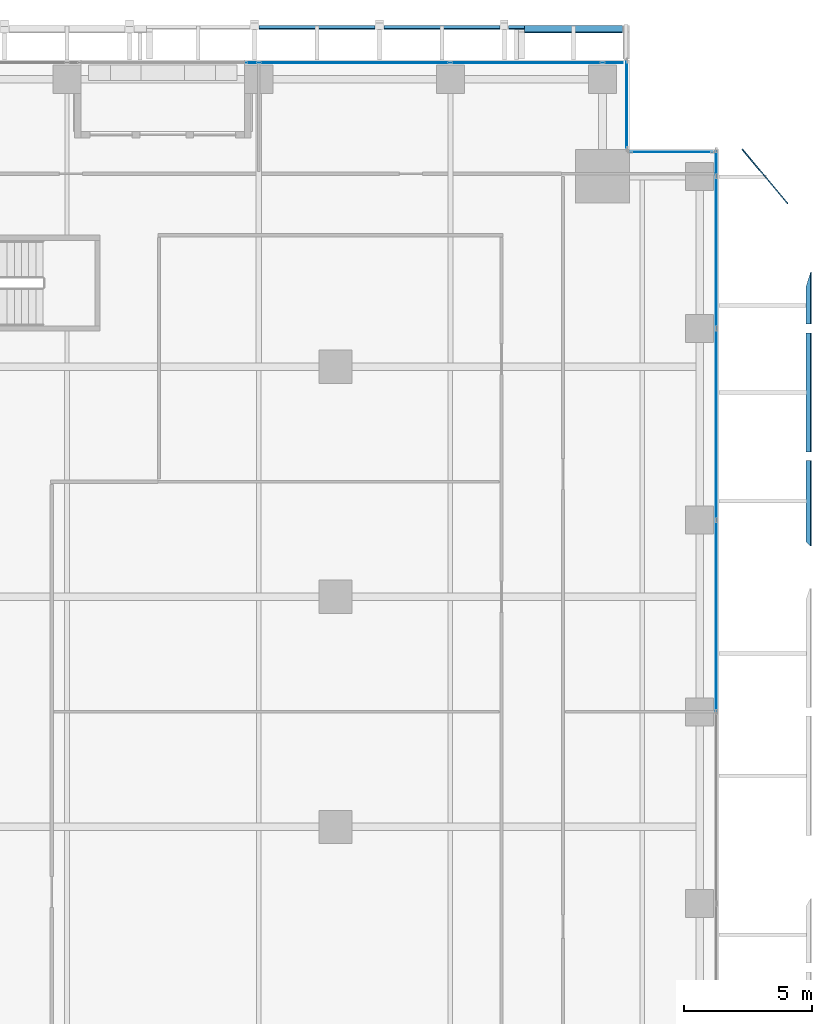
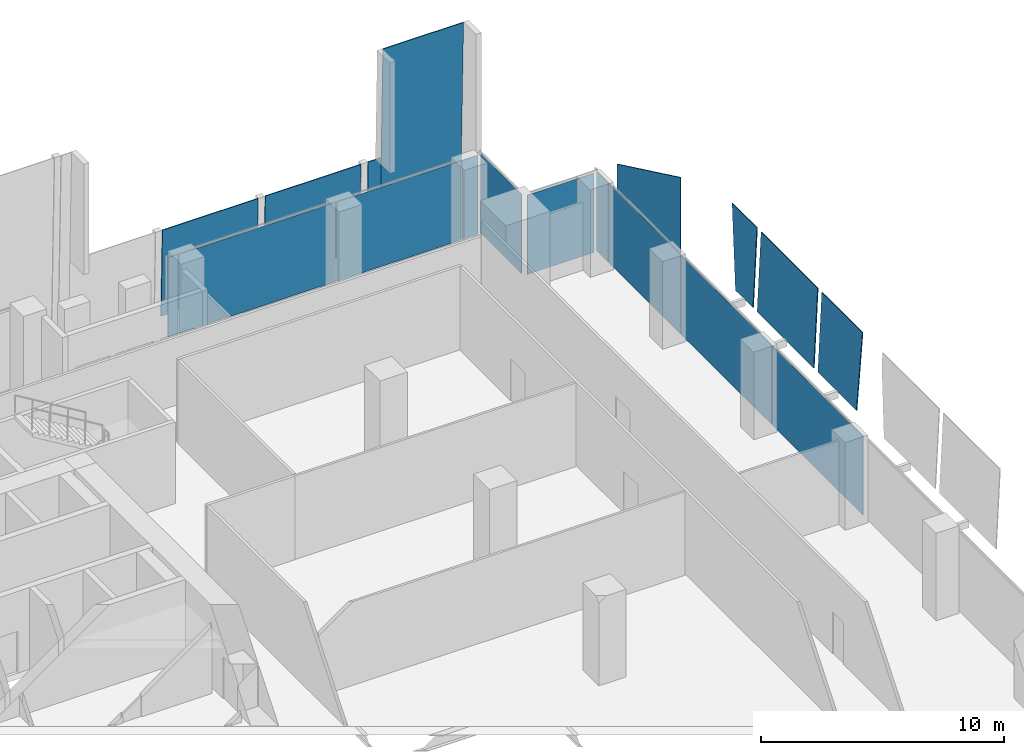
# One storey, part 27 of 34: 18 plates, 4 elements without a shape of their own.
"""IFC4 building model written with IfcOpenShell, lengths in metres."""

import ifcopenshell
import ifcopenshell.guid

model = None  # the IFC model being written
_history = None  # IfcOwnerHistory: only IFC2X3 demands one
_inside = {}  # id of a spatial element -> (the spatial element, [elements in it])
_under = {}  # id of a project, library or spatial element -> (it, [spatial elements below it])
_declared = {}  # id of a project -> (the project, [libraries it declares])
_typed = {}  # id of a type object -> (the type object, [elements of that type])
_made_of = {}  # id of a material, layer set ... -> (it, [elements and type objects made of it])


def new_model(schema):
    """Start an empty IFC model of exactly this schema.

    Asked for "IFC4X3", IfcOpenShell would pick the latest addendum, in which some entities
    have other attributes; the version numbers below select the first issue.
    IFC2X3 requires an IfcOwnerHistory on every rooted entity: one is made here for all.
    """
    global model, _history
    if schema == "IFC4X3":
        model = ifcopenshell.file(schema_version=(4, 3, 0, 0))
    else:
        model = ifcopenshell.file(schema=schema)
    _inside.clear()
    _under.clear()
    _declared.clear()
    _typed.clear()
    _made_of.clear()
    _history = None
    if model.schema == "IFC2X3":
        org = make("IfcOrganization", Name="unknown")
        user = make(
            "IfcPersonAndOrganization",
            ThePerson=make("IfcPerson", FamilyName="unknown"),
            TheOrganization=org,
        )
        app = make(
            "IfcApplication",
            ApplicationDeveloper=org,
            Version="unknown",
            ApplicationFullName="unknown",
            ApplicationIdentifier="unknown",
        )
        _history = make(
            "IfcOwnerHistory",
            OwningUser=user,
            OwningApplication=app,
            ChangeAction="ADDED",
            CreationDate=0,
        )
    return model


def make(cls, **values):
    """One entity of the class cls with the attributes given. An attribute that is None is left unset."""
    return model.create_entity(
        cls, **{name: value for name, value in values.items() if value is not None}
    )


def rooted(cls, **values):
    """An entity with a GlobalId (a new one), such as an element, a storey or a relation."""
    return make(cls, GlobalId=ifcopenshell.guid.new(), OwnerHistory=_history, **values)


def si_unit(unit_type, name, prefix=None):
    """IfcSIUnit, for example si_unit("LENGTHUNIT", "METRE", prefix="MILLI")."""
    return make("IfcSIUnit", UnitType=unit_type, Prefix=prefix, Name=name)


def assignment(units):
    """IfcUnitAssignment: the units of a project."""
    return None if units is None else make("IfcUnitAssignment", Units=units)


def point(xyz):
    """IfcCartesianPoint."""
    return None if xyz is None else make("IfcCartesianPoint", Coordinates=xyz)


def direction(xyz):
    """IfcDirection."""
    return None if xyz is None else make("IfcDirection", DirectionRatios=xyz)


def frame(location, z_axis=None, x_axis=None):
    """IfcAxis2Placement3D, a coordinate frame: its origin and axes. An axis left out is left unset."""
    return make(
        "IfcAxis2Placement3D",
        Location=point(location),
        Axis=direction(z_axis),
        RefDirection=direction(x_axis),
    )


def frame_2d(location, x_axis=None):
    """IfcAxis2Placement2D, a coordinate frame in the plane: its origin and x axis."""
    return make(
        "IfcAxis2Placement2D", Location=point(location), RefDirection=direction(x_axis)
    )


def origin():
    """The frame at (0, 0, 0) with its axes left unset."""
    return frame((0.0, 0.0, 0.0))


def origin_2d():
    """The frame at (0, 0) in the plane with its x axis left unset."""
    return frame_2d((0.0, 0.0))


def place(relative_to, where):
    """IfcLocalPlacement: puts the frame where relative to a parent placement (None: the world)."""
    return make(
        "IfcLocalPlacement", PlacementRelTo=relative_to, RelativePlacement=where
    )


def context(
    kind, dimensions, precision=None, world=None, true_north=None, identifier=None
):
    """IfcGeometricRepresentationContext, for example the 3D "Model" context."""
    return make(
        "IfcGeometricRepresentationContext",
        ContextIdentifier=identifier,
        ContextType=kind,
        CoordinateSpaceDimension=dimensions,
        Precision=precision,
        WorldCoordinateSystem=world,
        TrueNorth=true_north,
    )


def subcontext(parent, identifier, kind, view, scale=None):
    """IfcGeometricRepresentationSubContext, for example "Body" below "Model"."""
    return make(
        "IfcGeometricRepresentationSubContext",
        ContextIdentifier=identifier,
        ContextType=kind,
        ParentContext=parent,
        TargetScale=scale,
        TargetView=view,
    )


def project(units=None, contexts=None):
    """IfcProject with its units and contexts."""
    return rooted(
        "IfcProject",
        Name="project",
        RepresentationContexts=contexts,
        UnitsInContext=assignment(units),
    )


def spatial(cls, under=None, at=None, **own):
    """A site, building, storey or space (cls), placed at a placement, below another one or the project."""
    s = rooted(cls, ObjectPlacement=at, **own)
    if under is not None:
        _under.setdefault(under.id(), (under, []))[1].append(s)
    return s


def polyline(points):
    """IfcPolyline through the points."""
    return make("IfcPolyline", Points=[point(p) for p in points])


def profile(cls, at=None, kind="AREA", **sizes):
    """A parametric profile (cls). Its sizes go by their IFC names, for example OverallWidth=200.0."""
    return make(cls, ProfileType=kind, Position=at, **sizes)


def rectangle(**sizes):
    """IfcRectangleProfileDef."""
    return profile("IfcRectangleProfileDef", **sizes)


def outline(outer, holes=None, kind="AREA"):
    """IfcArbitraryClosedProfileDef: a profile drawn as a closed curve; with holes, ...WithVoids."""
    if holes is None:
        return make("IfcArbitraryClosedProfileDef", ProfileType=kind, OuterCurve=outer)
    return make(
        "IfcArbitraryProfileDefWithVoids",
        ProfileType=kind,
        OuterCurve=outer,
        InnerCurves=holes,
    )


def extrude(swept, where, along, depth):
    """IfcExtrudedAreaSolid: the profile swept, set in the frame where, extruded along a direction by depth."""
    return make(
        "IfcExtrudedAreaSolid",
        SweptArea=swept,
        Position=where,
        ExtrudedDirection=direction(along),
        Depth=depth,
    )


def shape(context_of_items, identifier, shape_type, items):
    """IfcShapeRepresentation: the items that make up one representation, for example the "Body"."""
    return make(
        "IfcShapeRepresentation",
        ContextOfItems=context_of_items,
        RepresentationIdentifier=identifier,
        RepresentationType=shape_type,
        Items=items,
    )


def source(mapping_origin, context_of_items, identifier, shape_type, items):
    """IfcRepresentationMap: a shape defined once, which mapped items show again and again."""
    return make(
        "IfcRepresentationMap",
        MappingOrigin=mapping_origin,
        MappedRepresentation=shape(context_of_items, identifier, shape_type, items),
    )


def transform(
    local_origin,
    x_axis=None,
    y_axis=None,
    z_axis=None,
    scale=None,
    scale2=None,
    scale3=None,
    uniform=True,
):
    """IfcCartesianTransformationOperator3D, or its non-uniform kind. x_axis, y_axis, z_axis: its Axis1, 2, 3."""
    if uniform:
        return make(
            "IfcCartesianTransformationOperator3D",
            Axis1=direction(x_axis),
            Axis2=direction(y_axis),
            LocalOrigin=point(local_origin),
            Scale=scale,
            Axis3=direction(z_axis),
        )
    return make(
        "IfcCartesianTransformationOperator3DnonUniform",
        Axis1=direction(x_axis),
        Axis2=direction(y_axis),
        LocalOrigin=point(local_origin),
        Scale=scale,
        Axis3=direction(z_axis),
        Scale2=scale2,
        Scale3=scale3,
    )


def mapped(mapping_source, mapping_target):
    """IfcMappedItem: shows the shape of a source again, moved by a transform."""
    return make(
        "IfcMappedItem", MappingSource=mapping_source, MappingTarget=mapping_target
    )


def material(Name=None, Category=None):
    """IfcMaterial."""
    return make("IfcMaterial", Name=Name, Category=Category)


def layer(
    of_material, thickness, ventilated=None, Name=None, Category=None, Priority=None
):
    """IfcMaterialLayer: one layer of a wall or slab, of a material (None: an air gap)."""
    return make(
        "IfcMaterialLayer",
        Material=of_material,
        LayerThickness=thickness,
        IsVentilated=ventilated,
        Name=Name,
        Category=Category,
        Priority=Priority,
    )


def layer_set(layers, Name=None):
    """IfcMaterialLayerSet."""
    return make("IfcMaterialLayerSet", MaterialLayers=layers, LayerSetName=Name)


def made_of(thing, what):
    """Note that an element or type object is made of a material, layer set ...; save() writes the relation."""
    if what is not None:
        _made_of.setdefault(what.id(), (what, []))[1].append(thing)
    return thing


def type_object(cls, material=None, **own):
    """A type object (cls), such as IfcWallType, which elements share."""
    return made_of(rooted(cls, **own), material)


def element(
    cls,
    number,
    at=None,
    inside=None,
    cuts=None,
    type_object=None,
    material=None,
    context=None,
    identifier="Body",
    shape_type=None,
    held_by="IfcProductDefinitionShape",
    body=None,
    shapes=None,
    **own,
):
    """One element of the class cls, such as IfcWall. Its Tag is "e" and its number.

    at: its placement. inside: the storey or other place that contains it. cuts: it is an
    opening in that element (IfcRelVoidsElement). A single representation is given by context,
    identifier, shape_type and body (its items); several are given by shapes. held_by: the class
    of the entity that holds the representations. save() writes the other relations.
    """
    e = rooted(cls, Tag="e%d" % number, ObjectPlacement=at, **own)
    if body is not None:
        shapes = [shape(context, identifier, shape_type, body)]
    if shapes is not None:
        e.Representation = make(held_by, Representations=shapes)
    if inside is not None:
        _inside.setdefault(inside.id(), (inside, []))[1].append(e)
    if cuts is not None:
        rooted(
            "IfcRelVoidsElement", RelatingBuildingElement=cuts, RelatedOpeningElement=e
        )
    if type_object is not None:
        _typed.setdefault(type_object.id(), (type_object, []))[1].append(e)
    return made_of(e, material)


def aggregate(whole, parts):
    """IfcRelAggregates: a whole, such as a stair, and the parts it consists of."""
    return rooted("IfcRelAggregates", RelatingObject=whole, RelatedObjects=parts)


def save(model, path):
    """Write the relations noted so far, then the file.

    IfcRelAggregates (storeys below a building ...), IfcRelContainedInSpatialStructure (elements
    in a storey), IfcRelDefinesByType, IfcRelAssociatesMaterial and IfcRelDeclares: one each for
    every whole, place, type object, material and project.
    """
    for whole, parts in _under.values():
        aggregate(whole, parts)
    for where, things in _inside.values():
        rooted(
            "IfcRelContainedInSpatialStructure",
            RelatedElements=things,
            RelatingStructure=where,
        )
    for kind, things in _typed.values():
        rooted("IfcRelDefinesByType", RelatedObjects=things, RelatingType=kind)
    for what, things in _made_of.values():
        rooted("IfcRelAssociatesMaterial", RelatedObjects=things, RelatingMaterial=what)
    for by, libraries in _declared.values():
        rooted("IfcRelDeclares", RelatingContext=by, RelatedDefinitions=libraries)
    model.write(path)


model = new_model("IFC4")

# Units and contexts
model_context = context("Model", 3, precision=1e-05, world=origin(), true_north=direction((0.0, 1.0)))
body_context = subcontext(model_context, "Body", "Model", "MODEL_VIEW")
ifc_project = project(units=[si_unit("LENGTHUNIT", "METRE"), si_unit("AREAUNIT", "SQUARE_METRE"), si_unit("VOLUMEUNIT", "CUBIC_METRE"), si_unit("PLANEANGLEUNIT", "RADIAN"), si_unit("MASSUNIT", "GRAM", prefix="KILO")], contexts=[model_context])

# Site, building, storey
site_placement = place(None, origin())
site = spatial("IfcSite", under=ifc_project, at=site_placement, CompositionType="ELEMENT")
building_placement = place(site_placement, origin())
building = spatial("IfcBuilding", under=site, at=building_placement, Name="Khomas Fold Tower", CompositionType="ELEMENT")
storey_placement = place(building_placement, frame((0.0, 0.0, 154.300048828125)))
storey = spatial("IfcBuildingStorey", under=building, at=storey_placement, Name="L33", CompositionType="ELEMENT", Elevation=154.300048828125)

# Plates
ifc_material_1 = material(Name="Clear laminated glass", Category="glass")
ifc_layer_1 = layer(ifc_material_1, 0.0400390625)
ifc_layer_set_1 = layer_set([ifc_layer_1], Name="Clear laminated glass")
plate_type_1 = type_object("IfcPlateType", Name="SK-Clear laminated glass leaf", PredefinedType="SHEET", material=ifc_layer_set_1)
plate_1_placement = place(storey_placement, frame((55.90625, 33.655029296875, 0.0), z_axis=(-0.998875250252, 0.0, 0.04741555054), x_axis=(0.047370826557, -0.043423257678, 0.997933076656)))
element("IfcPlate", 1, at=plate_1_placement, inside=storey, type_object=plate_type_1, Name="OUTER SKIN glass L33 EG104-8", PredefinedType="SHEET", context=body_context, shape_type="SweptSolid", body=[
    extrude(outline(polyline([(0.0, 0.0), (3.9581323279826925, 0.0), (3.8127979921667476, 3.343766894103691), (-0.13787096340260876, 3.172054012533263), (0.0, 0.0)])), origin(), (0.0, 0.0, -1.0), 0.0400390625),
])
plate_2_placement = place(storey_placement, frame((55.90625, 37.169921875, 0.0), z_axis=(-0.998875250252, 0.0, 0.04741555054), x_axis=(0.04741555054, 0.0, 0.998875250252)))
element("IfcPlate", 2, at=plate_2_placement, inside=storey, type_object=plate_type_1, Name="OUTER SKIN glass L33 EG105-9", PredefinedType="SHEET", context=body_context, shape_type="SweptSolid", body=[
    extrude(outline(polyline([(0.0, 0.0), (3.9543988810180344, 0.0), (3.9543988810180344, 4.66015625), (0.0, 4.66015625), (0.0, 0.0)])), origin(), (0.0, 0.0, -1.0), 0.0400390625),
])
plate_3_placement = place(storey_placement, frame((55.90625, 43.610107421875, 0.0), z_axis=(-0.998875250252, 0.0, 0.04741555054), x_axis=(0.0, -1.0, 0.0)))
element("IfcPlate", 3, at=plate_3_placement, inside=storey, type_object=plate_type_1, Name="OUTER SKIN glass L33 EG106-10", PredefinedType="SHEET", context=body_context, shape_type="SweptSolid", body=[
    extrude(outline(polyline([(0.0, 0.0), (1.440185546875, 0.0), (1.440185546875, 3.9543988810180344), (-0.60302734375, 3.9543988810180344), (0.0, 0.0)])), origin(), (0.0, 0.0, -1.0), 0.0400390625),
])
plate_4_placement = place(storey_placement, frame((55.175048828125, 46.8701171875, 0.0), z_axis=(-0.768177972883, -0.640236364148, 0.0), x_axis=(0.0, 0.0, 1.0)))
element("IfcPlate", 4, at=plate_4_placement, inside=storey, type_object=plate_type_1, Name="OUTER SKIN glass L33 EG107-11", PredefinedType="SHEET", context=body_context, shape_type="SweptSolid", body=[
    extrude(outline(polyline([(0.0, 0.0), (3.949951171875, 0.0), (3.949951171875, 2.7726423923708285), (0.0, 2.7726423923708285), (0.0, 0.0)])), origin(), (0.0, 0.0, -1.0), 0.0400390625),
])
for number, where, z_axis, x_axis, name in (
    (5, (34.50341796875, 53.857421875, 0.0009765625), (0.0, 0.999657212734, 0.026181234292), (1.0, 0.0, 0.0), "OUTER SKIN glass L33 N14"),
    (6, (39.392333984375, 53.857421875, 0.0009765625), (0.0, 0.999657212734, 0.026181234292), (1.0, 0.0, 0.0), "OUTER SKIN glass L33 N16"),
):
    element("IfcPlate", number, at=place(storey_placement, frame(where, z_axis=z_axis, x_axis=x_axis)), inside=storey, type_object=plate_type_1, Name=name, PredefinedType="SHEET", context=body_context, shape_type="SweptSolid", body=[
        extrude(outline(polyline([(0.0, 0.0), (4.548828125, 0.0), (4.548828125, -4.401411091424929), (0.0, -4.401411091424929), (0.0, 0.0)])), origin(), (0.0, 0.0, -1.0), 0.0400390625),
    ])
plate_5_placement = place(storey_placement, frame((44.89990234375, 53.857421875, 0.0009765625), z_axis=(0.0, 0.999657457978, 0.02617186867), x_axis=(1.0, 0.0, 0.0)))
element("IfcPlate", 7, at=plate_5_placement, inside=storey, type_object=plate_type_1, Name="OUTER SKIN glass L33 N18", PredefinedType="SHEET", context=body_context, shape_type="SweptSolid", body=[
    extrude(outline(polyline([(0.0, 0.0), (3.830078125, 0.0), (3.830078125, -9.953360616149823), (0.0, -9.953360616149823), (0.0, 0.0)])), origin(), (0.0, 0.0, -1.0), 0.0400390625),
])
plate_6_placement = place(storey_placement, frame((44.281005859375, 53.857421875, 0.0009765625), z_axis=(0.0, 0.999657212734, 0.026181234292), x_axis=(1.0, 0.0, 0.0)))
element("IfcPlate", 8, at=plate_6_placement, inside=storey, type_object=plate_type_1, Name="OUTER SKIN glass L33 N19", PredefinedType="SHEET", context=body_context, shape_type="SweptSolid", body=[
    extrude(outline(polyline([(0.0, 0.0), (0.618896484375, 0.0), (0.618896484375, -4.401411091424929), (0.0, -4.401411091424929), (0.0, 0.0)])), origin(), (0.0, 0.0, -1.0), 0.0400390625),
])

# Curtain wall, plate
ifc_material_2 = material(Name="Aluminium framed double glazing", Category="aluminium")
curtain_wall_type = type_object("IfcCurtainWallType", Name="SK-Unitised clear-glass wall, growing floors CW1", PredefinedType="NOTDEFINED", material=ifc_material_2)
curtain_wall_1_placement = place(storey_placement, origin())
curtain_wall_1 = element("IfcCurtainWall", 9, at=curtain_wall_1_placement, inside=storey, type_object=curtain_wall_type, Name="CW1 run L33 06-0", PredefinedType="NOTDEFINED")
ifc_material_3 = material(Name="Clear double glazed unit")
ifc_layer_2 = layer(ifc_material_3, 0.031982421875)
ifc_layer_set_2 = layer_set([ifc_layer_2], Name="Clear double glazed unit")
plate_type_2 = type_object("IfcPlateType", Name="SK-Unitised clear-glass wall, growing floors glass panel CW1-P", PredefinedType="CURTAIN_PANEL", material=ifc_layer_set_2)
shared_shape_1 = source(origin(), body_context, "Body", "SweptSolid", [
    extrude(rectangle(XDim=0.760009765625, YDim=0.031982421875, at=origin_2d()), origin(), (0.0, 0.0, 1.0), 3.97998046875),
])
plate_7_placement = place(storey_placement, frame((48.360107421875, 52.39990234375, 0.0), z_axis=(0.0, 0.0, 1.0), x_axis=(-1.0, 0.0, 0.0)))
plate_7 = element("IfcPlate", 10, at=plate_7_placement, type_object=plate_type_2, Name="CW1 glass panel 1", PredefinedType="CURTAIN_PANEL", context=body_context, shape_type="MappedRepresentation", body=[
    mapped(shared_shape_1, transform((0.0, 0.0, 0.0))),
])

curtain_wall_2_placement = place(storey_placement, origin())
curtain_wall_2 = element("IfcCurtainWall", 11, at=curtain_wall_2_placement, inside=storey, type_object=curtain_wall_type, Name="CW1 run L33 03-0", PredefinedType="NOTDEFINED")
shared_shape_2 = source(origin(), body_context, "Body", "SweptSolid", [
    extrude(rectangle(XDim=5.889892578125, YDim=0.031982421875, at=origin_2d()), origin(), (0.0, 0.0, 1.0), 3.97998046875),
])
plate_8_placement = place(storey_placement, frame((52.39990234375, 44.97509765625, 0.0), z_axis=(0.0, 0.0, 1.0), x_axis=(0.0, 1.0, 0.0)))
plate_8 = element("IfcPlate", 12, at=plate_8_placement, type_object=plate_type_2, Name="CW1 glass panel 7", PredefinedType="CURTAIN_PANEL", context=body_context, shape_type="MappedRepresentation", body=[
    mapped(shared_shape_2, transform((0.0, 0.0, 0.0))),
])

# Plate
plate_9_placement = place(storey_placement, frame((44.97509765625, 52.39990234375, 0.0), z_axis=(0.0, 0.0, 1.0), x_axis=(-1.0, 0.0, 0.0)))
plate_9 = element("IfcPlate", 13, at=plate_9_placement, type_object=plate_type_2, Name="CW1 glass panel 2", PredefinedType="CURTAIN_PANEL", context=body_context, shape_type="MappedRepresentation", body=[
    mapped(shared_shape_2, transform((0.0, 0.0, 0.0))),
])

shared_shape_3 = source(origin(), body_context, "Body", "SweptSolid", [
    extrude(rectangle(XDim=7.43994140625, YDim=0.031982421875, at=origin_2d()), origin(), (0.0, 0.0, 1.0), 3.97998046875),
])
plate_10_placement = place(storey_placement, frame((52.39990234375, 30.75, 0.0), z_axis=(0.0, 0.0, 1.0), x_axis=(0.0, 1.0, 0.0)))
plate_10 = element("IfcPlate", 14, at=plate_10_placement, type_object=plate_type_2, Name="CW1 glass panel 5", PredefinedType="CURTAIN_PANEL", context=body_context, shape_type="MappedRepresentation", body=[
    mapped(shared_shape_3, transform((0.0, 0.0, 0.0))),
])

plate_11_placement = place(storey_placement, frame((52.39990234375, 38.25, 0.0), z_axis=(0.0, 0.0, 1.0), x_axis=(0.0, 1.0, 0.0)))
plate_11 = element("IfcPlate", 15, at=plate_11_placement, type_object=plate_type_2, Name="CW1 glass panel 6", PredefinedType="CURTAIN_PANEL", context=body_context, shape_type="MappedRepresentation", body=[
    mapped(shared_shape_3, transform((0.0, 0.0, 0.0))),
])

plate_12_placement = place(storey_placement, frame((38.25, 52.39990234375, 0.0), z_axis=(0.0, 0.0, 1.0), x_axis=(-1.0, 0.0, 0.0)))
plate_12 = element("IfcPlate", 16, at=plate_12_placement, type_object=plate_type_2, Name="CW1 glass panel 3", PredefinedType="CURTAIN_PANEL", context=body_context, shape_type="MappedRepresentation", body=[
    mapped(shared_shape_3, transform((0.0, 0.0, 0.0))),
])

shared_shape_4 = source(origin(), body_context, "Body", "SweptSolid", [
    extrude(rectangle(XDim=0.9599609375, YDim=0.031982421875, at=origin_2d()), origin(), (0.0, 0.0, 1.0), 3.97998046875),
])
plate_13_placement = place(storey_placement, frame((52.39990234375, 48.4599609375, 0.0), z_axis=(0.0, 0.0, 1.0), x_axis=(0.0, 1.0, 0.0)))
plate_13 = element("IfcPlate", 17, at=plate_13_placement, type_object=plate_type_2, Name="CW1 glass panel 8", PredefinedType="CURTAIN_PANEL", context=body_context, shape_type="MappedRepresentation", body=[
    mapped(shared_shape_4, transform((0.0, 0.0, 0.0))),
])

aggregate(curtain_wall_2, [plate_10, plate_11, plate_8, plate_13])

# Curtain wall, plate
curtain_wall_3_placement = place(storey_placement, origin())
curtain_wall_3 = element("IfcCurtainWall", 18, at=curtain_wall_3_placement, inside=storey, type_object=curtain_wall_type, Name="CW1 corner return L33 04", PredefinedType="NOTDEFINED")
shared_shape_5 = source(origin(), body_context, "Body", "SweptSolid", [
    extrude(rectangle(XDim=3.179931640625, YDim=0.031982421875, at=origin_2d()), origin(), (0.0, 0.0, 1.0), 3.97998046875),
])
plate_14_placement = place(storey_placement, frame((50.64990234375, 48.89990234375, 0.0), z_axis=(0.0, 0.0, 1.0), x_axis=(-1.0, 0.0, 0.0)))
plate_14 = element("IfcPlate", 19, at=plate_14_placement, type_object=plate_type_2, Name="CW1 glass panel 1", PredefinedType="CURTAIN_PANEL", context=body_context, shape_type="MappedRepresentation", body=[
    mapped(shared_shape_5, transform((0.0, 0.0, 0.0))),
])
aggregate(curtain_wall_3, [plate_14])

curtain_wall_4_placement = place(storey_placement, origin())
curtain_wall_4 = element("IfcCurtainWall", 20, at=curtain_wall_4_placement, inside=storey, type_object=curtain_wall_type, Name="CW1 corner return L33 05", PredefinedType="NOTDEFINED")
shared_shape_6 = source(origin(), body_context, "Body", "SweptSolid", [
    extrude(rectangle(XDim=3.3798828125, YDim=0.031982421875, at=origin_2d()), origin(), (0.0, 0.0, 1.0), 3.97998046875),
])
plate_15_placement = place(storey_placement, frame((48.89990234375, 50.75, 0.0), z_axis=(0.0, 0.0, 1.0), x_axis=(0.0, 1.0, 0.0)))
plate_15 = element("IfcPlate", 21, at=plate_15_placement, type_object=plate_type_2, Name="CW1 glass panel 1", PredefinedType="CURTAIN_PANEL", context=body_context, shape_type="MappedRepresentation", body=[
    mapped(shared_shape_6, transform((0.0, 0.0, 0.0))),
])
aggregate(curtain_wall_4, [plate_15])

# Plate
shared_shape_7 = source(origin(), body_context, "Body", "SweptSolid", [
    extrude(rectangle(XDim=0.4599609375, YDim=0.031982421875, at=origin_2d()), origin(), (0.0, 0.0, 1.0), 3.97998046875),
])
plate_16_placement = place(storey_placement, frame((34.239990234375, 52.39990234375, 0.0), z_axis=(0.0, 0.0, 1.0), x_axis=(-1.0, 0.0, 0.0)))
plate_16 = element("IfcPlate", 22, at=plate_16_placement, type_object=plate_type_2, Name="CW1 glass panel 4", PredefinedType="CURTAIN_PANEL", context=body_context, shape_type="MappedRepresentation", body=[
    mapped(shared_shape_7, transform((0.0, 0.0, 0.0))),
])

aggregate(curtain_wall_1, [plate_7, plate_9, plate_12, plate_16])

save(model, "model.ifc")
